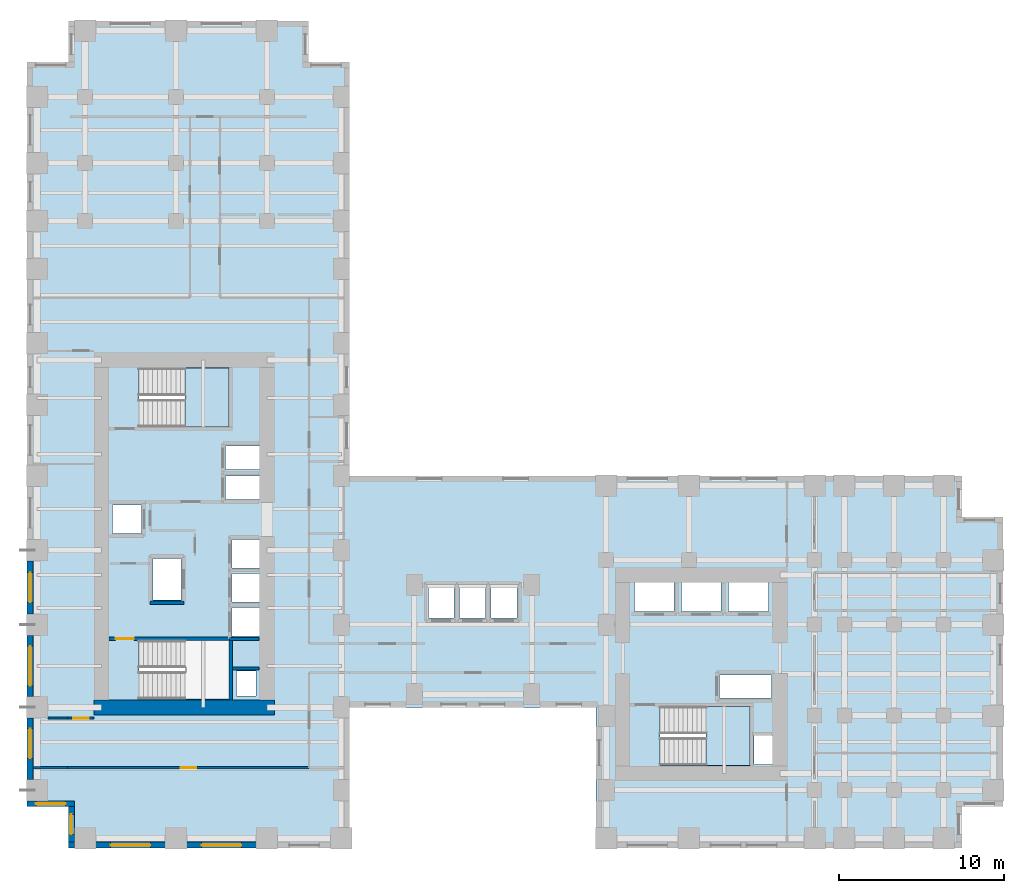
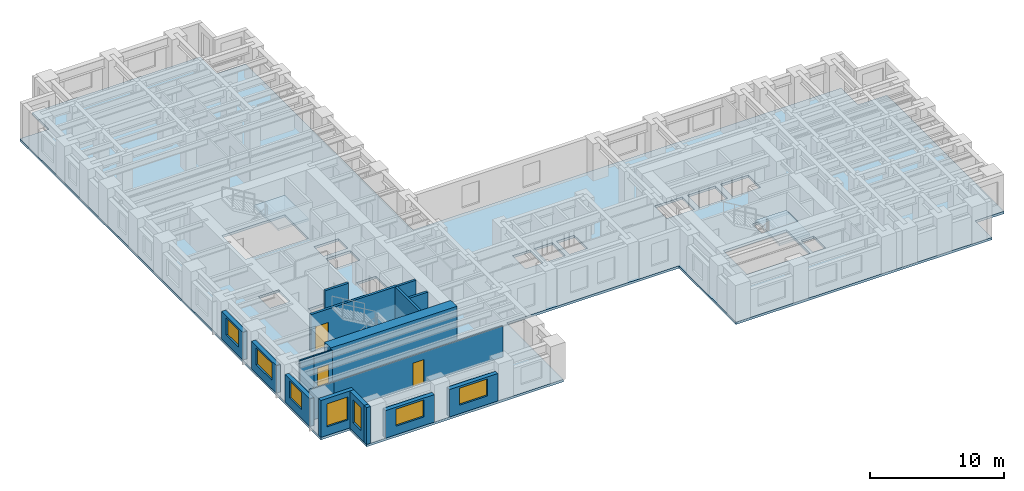
# One storey, part 3 of 11: 18 walls, 7 windows, 3 doors, 3 slabs, 10 openings, 2 elements without a shape of their own.
"""IFC4 building model written with IfcOpenShell, lengths in metres."""

from ifc_helpers import new_model, si_unit, direction, frame, frame_2d, origin, place, context, subcontext, project, spatial, polyline, rectangle, outline, extrude, source, transform, mapped, material, layer, layer_set, type_object, element, fill, aggregate, save


model = new_model("IFC4")

# Units and contexts
model_context = context("Model", 3, precision=1e-05, world=origin(), true_north=direction((0.0, 1.0)))
body_context = subcontext(model_context, "Body", "Model", "MODEL_VIEW")
ifc_project = project(units=[si_unit("LENGTHUNIT", "METRE"), si_unit("AREAUNIT", "SQUARE_METRE"), si_unit("VOLUMEUNIT", "CUBIC_METRE"), si_unit("PLANEANGLEUNIT", "RADIAN"), si_unit("MASSUNIT", "GRAM", prefix="KILO")], contexts=[model_context])

# Site, building, storey
site_placement = place(None, origin())
site = spatial("IfcSite", under=ifc_project, at=site_placement, CompositionType="ELEMENT")
building_placement = place(site_placement, origin())
building = spatial("IfcBuilding", under=site, at=building_placement, Name="Kharzan Plaza Tower", CompositionType="ELEMENT")
storey_placement = place(building_placement, frame((0.0, 0.0, 54.89990234375)))
storey = spatial("IfcBuildingStorey", under=building, at=storey_placement, Name="L14", CompositionType="ELEMENT", Elevation=54.89990234375)

# Slab
ifc_material_1 = material(Name="Concrete C40/50", Category="concrete")
ifc_layer_1 = layer(ifc_material_1, 0.219970703125)
ifc_layer_set_1 = layer_set([ifc_layer_1], Name="Concrete C40/50")
slab_type_1 = type_object("IfcSlabType", Name="SL-FLOOR-220", PredefinedType="FLOOR", material=ifc_layer_set_1)
slab_1_placement = place(storey_placement, frame((0.0, 0.0, -0.219970703125)))
element("IfcSlab", 1, at=slab_1_placement, inside=storey, type_object=slab_type_1, Name="L14 Composite Structural Floor Slab 220 mm", PredefinedType="FLOOR", context=body_context, shape_type="SweptSolid", body=[
    extrude(outline(polyline([(34.39990234375, 22.5), (19.5, 22.5), (19.5, 47.5), (17.0, 47.5), (17.0, 50.0), (2.5, 50.0), (2.5, 47.5), (0.0, 47.5), (0.0, 2.5), (2.5, 2.5), (2.5, 0.0), (19.5, 0.0), (19.5, 8.5), (34.39990234375, 8.5), (34.39990234375, 0.0), (56.5, 0.0), (56.5, 2.5), (59.0, 2.5), (59.0, 20.0), (56.5, 20.0), (56.5, 22.5), (34.39990234375, 22.5)]), holes=[polyline([(13.85009765625, 9.199951171875), (13.85009765625, 10.699951171875), (12.64990234375, 10.699951171875), (12.64990234375, 9.199951171875), (13.85009765625, 9.199951171875)]), polyline([(12.199951171875, 9.0), (12.199951171875, 12.550048828125), (6.75, 12.550048828125), (6.75, 9.0), (12.199951171875, 9.0)]), polyline([(14.10009765625, 12.800048828125), (14.10009765625, 14.530029296875), (12.39990234375, 14.530029296875), (12.39990234375, 12.800048828125), (14.10009765625, 12.800048828125)]), polyline([(14.10009765625, 14.8701171875), (14.10009765625, 16.60009765625), (12.39990234375, 16.60009765625), (12.39990234375, 14.8701171875), (14.10009765625, 14.8701171875)]), polyline([(9.300048828125, 15.0), (9.300048828125, 17.5), (7.60009765625, 17.5), (7.60009765625, 15.0), (9.300048828125, 15.0)]), polyline([(14.10009765625, 16.93994140625), (14.10009765625, 18.64990234375), (12.39990234375, 18.64990234375), (12.39990234375, 16.93994140625), (14.10009765625, 16.93994140625)]), polyline([(6.89990234375, 19.010009765625), (6.89990234375, 20.72998046875), (5.14990234375, 20.72998046875), (5.14990234375, 19.010009765625), (6.89990234375, 19.010009765625)]), polyline([(12.0, 21.070068359375), (14.10009765625, 21.070068359375), (14.10009765625, 22.489990234375), (12.0, 22.489990234375), (12.0, 21.070068359375)]), polyline([(12.0, 22.8701171875), (14.10009765625, 22.8701171875), (14.10009765625, 24.2900390625), (12.0, 24.2900390625), (12.0, 22.8701171875)]), polyline([(12.199951171875, 25.449951171875), (12.199951171875, 29.0), (6.75, 29.0), (6.75, 25.449951171875), (12.199951171875, 25.449951171875)]), polyline([(45.050048828125, 5.050048828125), (45.050048828125, 6.800048828125), (43.949951171875, 6.800048828125), (43.949951171875, 5.050048828125), (45.050048828125, 5.050048828125)]), polyline([(43.699951171875, 5.0), (43.699951171875, 8.550048828125), (38.25, 8.550048828125), (38.25, 5.0), (43.699951171875, 5.0)]), polyline([(41.85009765625, 9.070068359375), (45.0, 9.070068359375), (45.0, 10.469970703125), (41.85009765625, 10.469970703125), (41.85009765625, 9.070068359375)]), polyline([(24.25, 13.89990234375), (25.800048828125, 13.89990234375), (25.800048828125, 15.85009765625), (24.25, 15.85009765625), (24.25, 13.89990234375)]), polyline([(27.699951171875, 13.89990234375), (27.699951171875, 15.85009765625), (26.14990234375, 15.85009765625), (26.14990234375, 13.89990234375), (27.699951171875, 13.89990234375)]), polyline([(29.60009765625, 13.89990234375), (29.60009765625, 15.85009765625), (28.050048828125, 15.85009765625), (28.050048828125, 13.89990234375), (29.60009765625, 13.89990234375)]), polyline([(39.10009765625, 14.300048828125), (39.10009765625, 16.14990234375), (36.699951171875, 16.14990234375), (36.699951171875, 14.300048828125), (39.10009765625, 14.300048828125)]), polyline([(39.550048828125, 14.300048828125), (41.949951171875, 14.300048828125), (41.949951171875, 16.14990234375), (39.550048828125, 16.14990234375), (39.550048828125, 14.300048828125)]), polyline([(42.39990234375, 14.300048828125), (44.800048828125, 14.300048828125), (44.800048828125, 16.14990234375), (42.39990234375, 16.14990234375), (42.39990234375, 14.300048828125)])]), origin(), (0.0, 0.0, 1.0), 0.219970703125),
])

# Stair, slab
stair_type_1 = type_object("IfcStairType", Name="STR-ST-2", PredefinedType="HALF_TURN_STAIR", material=ifc_material_1)
stair_1_placement = place(storey_placement, origin())
stair_1 = element("IfcStair", 2, at=stair_1_placement, inside=storey, type_object=stair_type_1, Name="L14 Protected Exit Stair ST-2", PredefinedType="HALF_TURN_STAIR")
ifc_layer_2 = layer(ifc_material_1, 0.219970703125)
ifc_layer_set_2 = layer_set([ifc_layer_2], Name="Concrete C40/50")
slab_type_2 = type_object("IfcSlabType", Name="SL-LANDING-220", PredefinedType="LANDING", material=ifc_layer_set_2)
slab_2_placement = place(storey_placement, frame((0.0, 0.0, 1.60009765625)))
slab_2 = element("IfcSlab", 3, at=slab_2_placement, type_object=slab_type_2, Name="ST-2 landing 1", PredefinedType="LANDING", context=body_context, shape_type="SweptSolid", body=[
    extrude(outline(polyline([(9.550048828125, 25.449951171875), (12.199951171875, 25.449951171875), (12.199951171875, 29.0), (9.550048828125, 29.0), (9.550048828125, 25.449951171875)])), origin(), (0.0, 0.0, 1.0), 0.199951171875),
])
aggregate(stair_1, [slab_2])

stair_type_2 = type_object("IfcStairType", Name="STR-ST-3", PredefinedType="HALF_TURN_STAIR", material=ifc_material_1)
stair_2_placement = place(storey_placement, origin())
stair_2 = element("IfcStair", 4, at=stair_2_placement, inside=storey, type_object=stair_type_2, Name="L14 Protected Exit Stair ST-3", PredefinedType="HALF_TURN_STAIR")
slab_3_placement = place(storey_placement, frame((0.0, 0.0, 1.60009765625)))
slab_3 = element("IfcSlab", 5, at=slab_3_placement, type_object=slab_type_2, Name="ST-3 landing 1", PredefinedType="LANDING", context=body_context, shape_type="SweptSolid", body=[
    extrude(outline(polyline([(41.050048828125, 5.0), (43.699951171875, 5.0), (43.699951171875, 8.550048828125), (41.050048828125, 8.550048828125), (41.050048828125, 5.0)])), origin(), (0.0, 0.0, 1.0), 0.199951171875),
])
aggregate(stair_2, [slab_3])

# Wall, opening, window
ifc_layer_3 = layer(ifc_material_1, 0.35009765625)
ifc_layer_set_3 = layer_set([ifc_layer_3], Name="Concrete C40/50")
wall_type_1 = type_object("IfcWallType", Name="WL-EXT-MAS-Z1", PredefinedType="SOLIDWALL", material=ifc_layer_set_3)
wall_1_placement = place(storey_placement, frame((0.175048828125, 17.35205078125, 0.0), z_axis=(0.0, 0.0, 1.0), x_axis=(0.0, -1.0, 0.0)))
wall_1 = element("IfcWall", 6, at=wall_1_placement, inside=storey, type_object=wall_type_1, Name="L14 Masonry-Frame Exterior Wall 17", PredefinedType="SOLIDWALL", context=body_context, shape_type="SweptSolid", body=[
    extrude(rectangle(XDim=3.2041015625, YDim=0.35009765625, at=frame_2d((1.60205078125, 0.0))), origin(), (0.0, 0.0, 1.0), 2.510009765625),
])
opening_1_placement = place(wall_1_placement, frame((0.701904296875, 0.0, 0.780029296875)))
opening_1 = element("IfcOpeningElement", 7, at=opening_1_placement, cuts=wall_1, Name="Opening W1", PredefinedType="OPENING", context=body_context, shape_type="SweptSolid", body=[
    extrude(rectangle(XDim=1.800048828125, YDim=1.550048828125, at=frame_2d((0.89990234375, 0.77490234375))), frame((0.0, 0.18505859375, 0.0), z_axis=(0.0, -1.0, 0.0), x_axis=(1.0, 0.0, 0.0)), (0.0, 0.0, 1.0), 0.3701171875),
])
ifc_material_2 = material(Name="Low-E Double Glazing", Category="glass")
window_type_1 = type_object("IfcWindowType", Name="WN-REC-1800x2100", PartitioningType="SINGLE_PANEL", PredefinedType="WINDOW", material=ifc_material_2)
shared_shape_1 = source(origin(), body_context, "Body", "SweptSolid", [
    extrude(rectangle(XDim=1.800048828125, YDim=1.550048828125, at=frame_2d((0.89990234375, 0.77490234375))), frame((0.0, 0.030029296875, 0.0), z_axis=(0.0, -1.0, 0.0), x_axis=(1.0, 0.0, 0.0)), (0.0, 0.0, 1.0), 0.06005859375),
])
window_1_placement = place(opening_1_placement, origin())
window_1 = element("IfcWindow", 8, at=window_1_placement, inside=storey, type_object=window_type_1, Name="L14 Recessed Solar-Control Window 17-1", OverallHeight=1.550048828125, OverallWidth=1.800048828125, PartitioningType="SINGLE_PANEL", PredefinedType="WINDOW", context=body_context, shape_type="MappedRepresentation", body=[
    mapped(shared_shape_1, transform((0.0, 0.0, 0.0), x_axis=(1.0, 0.0, 0.0), y_axis=(0.0, 1.0, 0.0), z_axis=(0.0, 0.0, 1.0))),
])
fill(opening_1, window_1)

wall_2_placement = place(storey_placement, frame((0.175048828125, 12.85205078125, 0.0), z_axis=(0.0, 0.0, 1.0), x_axis=(0.0, -1.0, 0.0)))
wall_2 = element("IfcWall", 9, at=wall_2_placement, inside=storey, type_object=wall_type_1, Name="L14 Masonry-Frame Exterior Wall 18", PredefinedType="SOLIDWALL", context=body_context, shape_type="SweptSolid", body=[
    extrude(rectangle(XDim=3.7041015625, YDim=0.35009765625, at=frame_2d((1.85205078125, 0.0))), origin(), (0.0, 0.0, 1.0), 2.510009765625),
])
opening_2_placement = place(wall_2_placement, frame((0.652099609375, 0.0, 0.780029296875)))
opening_2 = element("IfcOpeningElement", 10, at=opening_2_placement, cuts=wall_2, Name="Opening W2", PredefinedType="OPENING", context=body_context, shape_type="SweptSolid", body=[
    extrude(rectangle(XDim=2.39990234375, YDim=1.550048828125, at=frame_2d((1.199951171875, 0.77490234375))), frame((0.0, 0.18505859375, 0.0), z_axis=(0.0, -1.0, 0.0), x_axis=(1.0, 0.0, 0.0)), (0.0, 0.0, 1.0), 0.3701171875),
])
window_type_2 = type_object("IfcWindowType", Name="WN-REC-2400x2100", PartitioningType="SINGLE_PANEL", PredefinedType="WINDOW", material=ifc_material_2)
shared_shape_2 = source(origin(), body_context, "Body", "SweptSolid", [
    extrude(rectangle(XDim=2.39990234375, YDim=1.550048828125, at=frame_2d((1.199951171875, 0.77490234375))), frame((0.0, 0.030029296875, 0.0), z_axis=(0.0, -1.0, 0.0), x_axis=(1.0, 0.0, 0.0)), (0.0, 0.0, 1.0), 0.06005859375),
])
window_2_placement = place(opening_2_placement, origin())
window_2 = element("IfcWindow", 11, at=window_2_placement, inside=storey, type_object=window_type_2, Name="L14 Wide Recessed Solar-Control Window 18-1", OverallHeight=1.550048828125, OverallWidth=2.39990234375, PartitioningType="SINGLE_PANEL", PredefinedType="WINDOW", context=body_context, shape_type="MappedRepresentation", body=[
    mapped(shared_shape_2, transform((0.0, 0.0, 0.0), x_axis=(1.0, 0.0, 0.0), y_axis=(0.0, 1.0, 0.0), z_axis=(0.0, 0.0, 1.0))),
])
fill(opening_2, window_2)

wall_3_placement = place(storey_placement, frame((0.175048828125, 7.85205078125, 0.0), z_axis=(0.0, 0.0, 1.0), x_axis=(0.0, -1.0, 0.0)))
wall_3 = element("IfcWall", 12, at=wall_3_placement, inside=storey, type_object=wall_type_1, Name="L14 Masonry-Frame Exterior Wall 19", PredefinedType="SOLIDWALL", context=body_context, shape_type="SweptSolid", body=[
    extrude(rectangle(XDim=3.7041015625, YDim=0.35009765625, at=frame_2d((1.85205078125, 0.0))), origin(), (0.0, 0.0, 1.0), 2.510009765625),
])
opening_3_placement = place(wall_3_placement, frame((0.635986328125, 0.0, 0.780029296875)))
opening_3 = element("IfcOpeningElement", 13, at=opening_3_placement, cuts=wall_3, Name="Opening W1", PredefinedType="OPENING", context=body_context, shape_type="SweptSolid", body=[
    extrude(rectangle(XDim=1.800048828125, YDim=1.550048828125, at=frame_2d((0.89990234375, 0.77490234375))), frame((0.0, 0.18505859375, 0.0), z_axis=(0.0, -1.0, 0.0), x_axis=(1.0, 0.0, 0.0)), (0.0, 0.0, 1.0), 0.3701171875),
])
window_3_placement = place(opening_3_placement, origin())
window_3 = element("IfcWindow", 14, at=window_3_placement, inside=storey, type_object=window_type_1, Name="L14 Recessed Solar-Control Window 19-1", OverallHeight=1.550048828125, OverallWidth=1.800048828125, PartitioningType="SINGLE_PANEL", PredefinedType="WINDOW", context=body_context, shape_type="MappedRepresentation", body=[
    mapped(shared_shape_1, transform((0.0, 0.0, 0.0), x_axis=(1.0, 0.0, 0.0), y_axis=(0.0, 1.0, 0.0), z_axis=(0.0, 0.0, 1.0))),
])
fill(opening_3, window_3)

wall_4_placement = place(storey_placement, frame((0.0, 2.675048828125, 0.0), z_axis=(0.0, 0.0, 1.0), x_axis=(1.0, 0.0, 0.0)))
wall_4 = element("IfcWall", 15, at=wall_4_placement, inside=storey, type_object=wall_type_1, Name="L14 Masonry-Frame Exterior Wall 20", PredefinedType="SOLIDWALL", context=body_context, shape_type="SweptSolid", body=[
    extrude(rectangle(XDim=2.85009765625, YDim=0.35009765625, at=frame_2d((1.425048828125, 0.0))), origin(), (0.0, 0.0, 1.0), 3.364990234375),
])
opening_4_placement = place(wall_4_placement, frame((0.52490234375, 0.0, 0.780029296875)))
opening_4 = element("IfcOpeningElement", 16, at=opening_4_placement, cuts=wall_4, Name="Opening W1", PredefinedType="OPENING", context=body_context, shape_type="SweptSolid", body=[
    extrude(rectangle(XDim=1.800048828125, YDim=2.10009765625, at=frame_2d((0.89990234375, 1.050048828125))), frame((0.0, 0.18505859375, 0.0), z_axis=(0.0, -1.0, 0.0), x_axis=(1.0, 0.0, 0.0)), (0.0, 0.0, 1.0), 0.3701171875),
])
shared_shape_3 = source(origin(), body_context, "Body", "SweptSolid", [
    extrude(rectangle(XDim=1.800048828125, YDim=2.10009765625, at=frame_2d((0.89990234375, 1.050048828125))), frame((0.0, 0.030029296875, 0.0), z_axis=(0.0, -1.0, 0.0), x_axis=(1.0, 0.0, 0.0)), (0.0, 0.0, 1.0), 0.06005859375),
])
window_4_placement = place(opening_4_placement, origin())
window_4 = element("IfcWindow", 17, at=window_4_placement, inside=storey, type_object=window_type_1, Name="L14 Recessed Solar-Control Window 20-1", OverallHeight=2.10009765625, OverallWidth=1.800048828125, PartitioningType="SINGLE_PANEL", PredefinedType="WINDOW", context=body_context, shape_type="MappedRepresentation", body=[
    mapped(shared_shape_3, transform((0.0, 0.0, 0.0), x_axis=(1.0, 0.0, 0.0), y_axis=(0.0, 1.0, 0.0), z_axis=(0.0, 0.0, 1.0))),
])
fill(opening_4, window_4)

wall_5_placement = place(storey_placement, frame((2.675048828125, 2.501953125, 0.0), z_axis=(0.0, 0.0, 1.0), x_axis=(0.0, -1.0, 0.0)))
wall_5 = element("IfcWall", 18, at=wall_5_placement, inside=storey, type_object=wall_type_1, Name="L14 Masonry-Frame Exterior Wall 21", PredefinedType="SOLIDWALL", context=body_context, shape_type="SweptSolid", body=[
    extrude(rectangle(XDim=2.154052734375, YDim=0.35009765625, at=frame_2d((1.0771484375, 0.0))), origin(), (0.0, 0.0, 1.0), 3.364990234375),
])
opening_5_placement = place(wall_5_placement, frame((0.47705078125, 0.0, 0.780029296875)))
opening_5 = element("IfcOpeningElement", 19, at=opening_5_placement, cuts=wall_5, Name="Opening W3", PredefinedType="OPENING", context=body_context, shape_type="SweptSolid", body=[
    extrude(rectangle(XDim=1.199951171875, YDim=2.10009765625, at=frame_2d((0.60009765625, 1.050048828125))), frame((0.0, 0.18505859375, 0.0), z_axis=(0.0, -1.0, 0.0), x_axis=(1.0, 0.0, 0.0)), (0.0, 0.0, 1.0), 0.3701171875),
])
window_type_3 = type_object("IfcWindowType", Name="WN-REC-1200x2100", PartitioningType="SINGLE_PANEL", PredefinedType="WINDOW", material=ifc_material_2)
shared_shape_4 = source(origin(), body_context, "Body", "SweptSolid", [
    extrude(rectangle(XDim=1.199951171875, YDim=2.10009765625, at=frame_2d((0.60009765625, 1.050048828125))), frame((0.0, 0.030029296875, 0.0), z_axis=(0.0, -1.0, 0.0), x_axis=(1.0, 0.0, 0.0)), (0.0, 0.0, 1.0), 0.06005859375),
])
window_5_placement = place(opening_5_placement, origin())
window_5 = element("IfcWindow", 20, at=window_5_placement, inside=storey, type_object=window_type_3, Name="L14 Recessed Solar-Control Window 21-1", OverallHeight=2.10009765625, OverallWidth=1.199951171875, PartitioningType="SINGLE_PANEL", PredefinedType="WINDOW", context=body_context, shape_type="MappedRepresentation", body=[
    mapped(shared_shape_4, transform((0.0, 0.0, 0.0), x_axis=(1.0, 0.0, 0.0), y_axis=(0.0, 1.0, 0.0), z_axis=(0.0, 0.0, 1.0))),
])
fill(opening_5, window_5)

wall_6_placement = place(storey_placement, frame((4.14794921875, 0.175048828125, 0.0), z_axis=(0.0, 0.0, 1.0), x_axis=(1.0, 0.0, 0.0)))
wall_6 = element("IfcWall", 21, at=wall_6_placement, inside=storey, type_object=wall_type_1, Name="L14 Masonry-Frame Exterior Wall 23", PredefinedType="SOLIDWALL", context=body_context, shape_type="SweptSolid", body=[
    extrude(rectangle(XDim=4.2041015625, YDim=0.35009765625, at=frame_2d((2.10205078125, 0.0))), origin(), (0.0, 0.0, 1.0), 2.510009765625),
])
opening_6_placement = place(wall_6_placement, frame((0.902099609375, 0.0, 0.780029296875)))
opening_6 = element("IfcOpeningElement", 22, at=opening_6_placement, cuts=wall_6, Name="Opening W2", PredefinedType="OPENING", context=body_context, shape_type="SweptSolid", body=[
    extrude(rectangle(XDim=2.39990234375, YDim=1.550048828125, at=frame_2d((1.199951171875, 0.77490234375))), frame((0.0, 0.18505859375, 0.0), z_axis=(0.0, -1.0, 0.0), x_axis=(1.0, 0.0, 0.0)), (0.0, 0.0, 1.0), 0.3701171875),
])
window_6_placement = place(opening_6_placement, origin())
window_6 = element("IfcWindow", 23, at=window_6_placement, inside=storey, type_object=window_type_2, Name="L14 Wide Recessed Solar-Control Window 23-1", OverallHeight=1.550048828125, OverallWidth=2.39990234375, PartitioningType="SINGLE_PANEL", PredefinedType="WINDOW", context=body_context, shape_type="MappedRepresentation", body=[
    mapped(shared_shape_2, transform((0.0, 0.0, 0.0), x_axis=(1.0, 0.0, 0.0), y_axis=(0.0, 1.0, 0.0), z_axis=(0.0, 0.0, 1.0))),
])
fill(opening_6, window_6)

wall_7_placement = place(storey_placement, frame((9.64794921875, 0.175048828125, 0.0), z_axis=(0.0, 0.0, 1.0), x_axis=(1.0, 0.0, 0.0)))
wall_7 = element("IfcWall", 24, at=wall_7_placement, inside=storey, type_object=wall_type_1, Name="L14 Masonry-Frame Exterior Wall 24", PredefinedType="SOLIDWALL", context=body_context, shape_type="SweptSolid", body=[
    extrude(rectangle(XDim=4.2041015625, YDim=0.35009765625, at=frame_2d((2.10205078125, 0.0))), origin(), (0.0, 0.0, 1.0), 2.510009765625),
])
opening_7_placement = place(wall_7_placement, frame((0.902099609375, 0.0, 0.780029296875)))
opening_7 = element("IfcOpeningElement", 25, at=opening_7_placement, cuts=wall_7, Name="Opening W2", PredefinedType="OPENING", context=body_context, shape_type="SweptSolid", body=[
    extrude(rectangle(XDim=2.39990234375, YDim=1.550048828125, at=frame_2d((1.199951171875, 0.77490234375))), frame((0.0, 0.18505859375, 0.0), z_axis=(0.0, -1.0, 0.0), x_axis=(1.0, 0.0, 0.0)), (0.0, 0.0, 1.0), 0.3701171875),
])
window_7_placement = place(opening_7_placement, origin())
window_7 = element("IfcWindow", 26, at=window_7_placement, inside=storey, type_object=window_type_2, Name="L14 Wide Recessed Solar-Control Window 24-1", OverallHeight=1.550048828125, OverallWidth=2.39990234375, PartitioningType="SINGLE_PANEL", PredefinedType="WINDOW", context=body_context, shape_type="MappedRepresentation", body=[
    mapped(shared_shape_2, transform((0.0, 0.0, 0.0), x_axis=(1.0, 0.0, 0.0), y_axis=(0.0, 1.0, 0.0), z_axis=(0.0, 0.0, 1.0))),
])
fill(opening_7, window_7)

# Wall, opening, door
ifc_material_3 = material(Name="Fire-Rated Gypsum Board Partition", Category="gypsum")
ifc_layer_4 = layer(ifc_material_3, 0.125)
ifc_layer_set_4 = layer_set([ifc_layer_4], Name="Fire-Rated Gypsum Board Partition")
wall_type_2 = type_object("IfcWallType", Name="WL-INT-PART-125", PredefinedType="PARTITIONING", material=ifc_layer_set_4)
wall_8_placement = place(storey_placement, frame((2.449951171875, 7.85009765625, 0.0), z_axis=(0.0, 0.0, 1.0), x_axis=(1.0, 0.0, 0.0)))
wall_8 = element("IfcWall", 27, at=wall_8_placement, inside=storey, type_object=wall_type_2, Name="L14 Interior Partition SH-RWSD", PredefinedType="PARTITIONING", context=body_context, shape_type="SweptSolid", body=[
    extrude(rectangle(XDim=1.60009765625, YDim=0.125, at=frame_2d((0.800048828125, 0.0))), origin(), (0.0, 0.0, 1.0), 3.364990234375),
])
opening_8_placement = place(wall_8_placement, frame((0.324951171875, 0.0, 0.0)))
opening_8 = element("IfcOpeningElement", 28, at=opening_8_placement, cuts=wall_8, Name="Opening OD1", PredefinedType="OPENING", context=body_context, shape_type="SweptSolid", body=[
    extrude(rectangle(XDim=0.949951171875, YDim=2.14990234375, at=frame_2d((0.47509765625, 1.074951171875))), frame((0.0, 0.072509765625, 0.0), z_axis=(0.0, -1.0, 0.0), x_axis=(1.0, 0.0, 0.0)), (0.0, 0.0, 1.0), 0.14501953125),
])
ifc_material_4 = material(Name="Acoustic Solid-Core Stained Oak", Category="timber")
door_type_1 = type_object("IfcDoorType", Name="DR-OFF-SINGLE", OperationType="NOTDEFINED", PredefinedType="DOOR", material=ifc_material_4)
shared_shape_5 = source(origin(), body_context, "Body", "SweptSolid", [
    extrude(rectangle(XDim=0.949951171875, YDim=2.14990234375, at=frame_2d((0.47509765625, 1.074951171875))), frame((0.0, 0.02490234375, 0.0), z_axis=(0.0, -1.0, 0.0), x_axis=(1.0, 0.0, 0.0)), (0.0, 0.0, 1.0), 0.050048828125),
])
door_1_placement = place(opening_8_placement, origin())
door_1 = element("IfcDoor", 29, at=door_1_placement, inside=storey, type_object=door_type_1, Name="L14 West Office 1 Door", OperationType="SINGLE_SWING_RIGHT", OverallHeight=2.14990234375, OverallWidth=0.949951171875, PredefinedType="DOOR", context=body_context, shape_type="MappedRepresentation", body=[
    mapped(shared_shape_5, transform((0.0, 0.0, 0.0), x_axis=(1.0, 0.0, 0.0), y_axis=(0.0, 1.0, 0.0), z_axis=(0.0, 0.0, 1.0))),
])
fill(opening_8, door_1)

wall_9_placement = place(storey_placement, frame((2.449951171875, 4.85009765625, 0.0), z_axis=(0.0, 0.0, 1.0), x_axis=(1.0, 0.0, 0.0)))
wall_9 = element("IfcWall", 30, at=wall_9_placement, inside=storey, type_object=wall_type_2, Name="L14 Interior Partition SH-SS-1", PredefinedType="PARTITIONING", context=body_context, shape_type="SweptSolid", body=[
    extrude(rectangle(XDim=14.60009765625, YDim=0.125, at=frame_2d((7.300048828125, 0.0))), origin(), (0.0, 0.0, 1.0), 2.828125),
])
opening_9_placement = place(wall_9_placement, frame((6.824951171875, 0.0, 0.0)))
opening_9 = element("IfcOpeningElement", 31, at=opening_9_placement, cuts=wall_9, Name="Opening OD1", PredefinedType="OPENING", context=body_context, shape_type="SweptSolid", body=[
    extrude(rectangle(XDim=0.949951171875, YDim=2.14990234375, at=frame_2d((0.47509765625, 1.074951171875))), frame((0.0, 0.072509765625, 0.0), z_axis=(0.0, -1.0, 0.0), x_axis=(1.0, 0.0, 0.0)), (0.0, 0.0, 1.0), 0.14501953125),
])
door_2_placement = place(opening_9_placement, origin())
door_2 = element("IfcDoor", 32, at=door_2_placement, inside=storey, type_object=door_type_1, Name="L14 Operations Control Office Door", OperationType="SINGLE_SWING_RIGHT", OverallHeight=2.14990234375, OverallWidth=0.949951171875, PredefinedType="DOOR", context=body_context, shape_type="MappedRepresentation", body=[
    mapped(shared_shape_5, transform((0.0, 0.0, 0.0), x_axis=(1.0, 0.0, 0.0), y_axis=(0.0, 1.0, 0.0), z_axis=(0.0, 0.0, 1.0))),
])
fill(opening_9, door_2)

ifc_material_5 = material(Name="Concrete C50/60", Category="concrete")
ifc_layer_5 = layer(ifc_material_5, 0.199951171875)
ifc_layer_set_5 = layer_set([ifc_layer_5], Name="Concrete C50/60")
wall_type_3 = type_object("IfcWallType", Name="WL-SHAFT-RC200", PredefinedType="SHEAR", material=ifc_layer_set_5)
wall_10_placement = place(storey_placement, frame((4.951904296875, 12.655029296875, 0.0), z_axis=(0.0, 0.0, 1.0), x_axis=(1.0, 0.0, 0.0)))
wall_10 = element("IfcWall", 33, at=wall_10_placement, inside=storey, type_object=wall_type_3, Name="L14 Stair ST-1 North RC Shaft Wall", PredefinedType="SHEAR", context=body_context, shape_type="SweptSolid", body=[
    extrude(rectangle(XDim=7.453125, YDim=0.199951171875, at=frame_2d((3.7265625, 0.0))), origin(), (0.0, 0.0, 1.0), 3.380126953125),
])
opening_10_placement = place(wall_10_placement, frame((0.39990234375, 0.0, 0.0)))
opening_10 = element("IfcOpeningElement", 34, at=opening_10_placement, cuts=wall_10, Name="Opening SD1", PredefinedType="OPENING", context=body_context, shape_type="SweptSolid", body=[
    extrude(rectangle(XDim=1.10009765625, YDim=2.14990234375, at=frame_2d((0.550048828125, 1.074951171875))), frame((0.0, 0.10986328125, 0.0), z_axis=(0.0, -1.0, 0.0), x_axis=(1.0, 0.0, 0.0)), (0.0, 0.0, 1.0), 0.219970703125),
])
ifc_material_6 = material(Name="Fire-Rated Hollow Galvanized Steel", Category="steel")
door_type_2 = type_object("IfcDoorType", Name="DR-STAIR-FD120", OperationType="NOTDEFINED", PredefinedType="DOOR", material=ifc_material_6)
shared_shape_6 = source(origin(), body_context, "Body", "SweptSolid", [
    extrude(rectangle(XDim=1.10009765625, YDim=2.14990234375, at=frame_2d((0.550048828125, 1.074951171875))), frame((0.0, 0.02490234375, 0.0), z_axis=(0.0, -1.0, 0.0), x_axis=(1.0, 0.0, 0.0)), (0.0, 0.0, 1.0), 0.050048828125),
])
door_3_placement = place(opening_10_placement, origin())
door_3 = element("IfcDoor", 35, at=door_3_placement, inside=storey, type_object=door_type_2, Name="L14 Stair ST-1 Fire Exit Door", OperationType="SINGLE_SWING_LEFT", OverallHeight=2.14990234375, OverallWidth=1.10009765625, PredefinedType="DOOR", context=body_context, shape_type="MappedRepresentation", body=[
    mapped(shared_shape_6, transform((0.0, 0.0, 0.0), x_axis=(1.0, 0.0, 0.0), y_axis=(0.0, 1.0, 0.0), z_axis=(0.0, 0.0, 1.0))),
])
fill(opening_10, door_3)

# Walls
shared_shape_7 = source(origin(), body_context, "Body", "SweptSolid", [
    extrude(rectangle(XDim=0.35205078125, YDim=0.35009765625, at=frame_2d((0.176025390625, 0.0))), origin(), (0.0, 0.0, 1.0), 3.364990234375),
])
wall_11_placement = place(storey_placement, frame((2.5, 0.175048828125, 0.0), z_axis=(0.0, 0.0, 1.0), x_axis=(1.0, 0.0, 0.0)))
element("IfcWall", 36, at=wall_11_placement, inside=storey, type_object=wall_type_1, Name="L14 Masonry-Frame Exterior Wall 22", PredefinedType="SOLIDWALL", context=body_context, shape_type="MappedRepresentation", body=[
    mapped(shared_shape_7, transform((0.0, 0.0, 0.0), x_axis=(1.0, 0.0, 0.0), y_axis=(0.0, 1.0, 0.0), z_axis=(0.0, 0.0, 1.0))),
])
shared_shape_8 = source(origin(), body_context, "Body", "SweptSolid", [
    extrude(rectangle(XDim=1.18994140625, YDim=0.125, at=frame_2d((0.594970703125, 0.0))), origin(), (0.0, 0.0, 1.0), 3.364990234375),
])
wall_12_placement = place(storey_placement, frame((1.260009765625, 7.85009765625, 0.0), z_axis=(0.0, 0.0, 1.0), x_axis=(1.0, 0.0, 0.0)))
element("IfcWall", 37, at=wall_12_placement, inside=storey, type_object=wall_type_2, Name="L14 Interior Partition SH-RWS0", PredefinedType="PARTITIONING", context=body_context, shape_type="MappedRepresentation", body=[
    mapped(shared_shape_8, transform((0.0, 0.0, 0.0), x_axis=(1.0, 0.0, 0.0), y_axis=(0.0, 1.0, 0.0), z_axis=(0.0, 0.0, 1.0))),
])
ifc_layer_6 = layer(ifc_material_1, 0.199951171875)
ifc_layer_set_6 = layer_set([ifc_layer_6], Name="Concrete C40/50")
wall_type_4 = type_object("IfcWallType", Name="WL-INT-SHAFT-200", PredefinedType="PARTITIONING", material=ifc_layer_set_6)
shared_shape_9 = source(origin(), body_context, "Body", "SweptSolid", [
    extrude(rectangle(XDim=1.60009765625, YDim=0.199951171875, at=frame_2d((0.800048828125, 0.0))), origin(), (0.0, 0.0, 1.0), 3.364990234375),
])
wall_13_placement = place(storey_placement, frame((12.419921875, 10.85009765625, 0.0), z_axis=(0.0, 0.0, 1.0), x_axis=(1.0, 0.0, 0.0)))
element("IfcWall", 38, at=wall_13_placement, inside=storey, type_object=wall_type_4, Name="L14 Interior Partition CA-RSRA-N", PredefinedType="PARTITIONING", context=body_context, shape_type="MappedRepresentation", body=[
    mapped(shared_shape_9, transform((0.0, 0.0, 0.0), x_axis=(1.0, 0.0, 0.0), y_axis=(0.0, 1.0, 0.0), z_axis=(0.0, 0.0, 1.0))),
])
shared_shape_10 = source(origin(), body_context, "Body", "SweptSolid", [
    extrude(rectangle(XDim=1.7900390625, YDim=0.199951171875, at=frame_2d((0.89501953125, 0.0))), origin(), (0.0, 0.0, 1.0), 3.364990234375),
])
wall_14_placement = place(storey_placement, frame((12.22998046875, 12.6298828125, 0.0), z_axis=(0.0, 0.0, 1.0), x_axis=(1.0, 0.0, 0.0)))
element("IfcWall", 39, at=wall_14_placement, inside=storey, type_object=wall_type_4, Name="L14 Interior Partition SHF-PL-H1-S", PredefinedType="PARTITIONING", context=body_context, shape_type="MappedRepresentation", body=[
    mapped(shared_shape_10, transform((0.0, 0.0, 0.0), x_axis=(1.0, 0.0, 0.0), y_axis=(0.0, 1.0, 0.0), z_axis=(0.0, 0.0, 1.0))),
])
shared_shape_11 = source(origin(), body_context, "Body", "SweptSolid", [
    extrude(rectangle(XDim=2.0400390625, YDim=0.199951171875, at=frame_2d((1.02001953125, 0.0))), origin(), (0.0, 0.0, 1.0), 3.364990234375),
])
wall_15_placement = place(storey_placement, frame((7.429931640625, 14.830078125, 0.0), z_axis=(0.0, 0.0, 1.0), x_axis=(1.0, 0.0, 0.0)))
element("IfcWall", 40, at=wall_15_placement, inside=storey, type_object=wall_type_4, Name="L14 Interior Partition SHF-SVL-1-S", PredefinedType="PARTITIONING", context=body_context, shape_type="MappedRepresentation", body=[
    mapped(shared_shape_11, transform((0.0, 0.0, 0.0), x_axis=(1.0, 0.0, 0.0), y_axis=(0.0, 1.0, 0.0), z_axis=(0.0, 0.0, 1.0))),
])
ifc_material_7 = material(Name="Concrete C60/75", Category="concrete")
ifc_layer_7 = layer(ifc_material_7, 0.89990234375)
ifc_layer_set_7 = layer_set([ifc_layer_7], Name="Concrete C60/75")
wall_type_5 = type_object("IfcWallType", Name="WL-CORE-900", PredefinedType="SHEAR", material=ifc_layer_set_7)
shared_shape_12 = source(origin(), body_context, "Body", "SweptSolid", [
    extrude(rectangle(XDim=10.89990234375, YDim=0.89990234375, at=frame_2d((5.449951171875, 0.0))), origin(), (0.0, 0.0, 1.0), 3.380126953125),
])
wall_16_placement = place(storey_placement, frame((4.050048828125, 8.5, 0.0), z_axis=(0.0, 0.0, 1.0), x_axis=(1.0, 0.0, 0.0)))
element("IfcWall", 41, at=wall_16_placement, inside=storey, type_object=wall_type_5, Name="L14 CORE-A south RC shear wall", PredefinedType="SHEAR", context=body_context, shape_type="MappedRepresentation", body=[
    mapped(shared_shape_12, transform((0.0, 0.0, 0.0), x_axis=(1.0, 0.0, 0.0), y_axis=(0.0, 1.0, 0.0), z_axis=(0.0, 0.0, 1.0))),
])
shared_shape_13 = source(origin(), body_context, "Body", "SweptSolid", [
    extrude(rectangle(XDim=2.097900390625, YDim=0.125, at=frame_2d((1.048828125, 0.0))), origin(), (0.0, 0.0, 1.0), 2.828125),
])
wall_17_placement = place(storey_placement, frame((0.35205078125, 4.85009765625, 0.0), z_axis=(0.0, 0.0, 1.0), x_axis=(1.0, 0.0, 0.0)))
element("IfcWall", 42, at=wall_17_placement, inside=storey, type_object=wall_type_2, Name="L14 Interior Partition SH-SS-EXT", PredefinedType="PARTITIONING", context=body_context, shape_type="MappedRepresentation", body=[
    mapped(shared_shape_13, transform((0.0, 0.0, 0.0), x_axis=(1.0, 0.0, 0.0), y_axis=(0.0, 1.0, 0.0), z_axis=(0.0, 0.0, 1.0))),
])
shared_shape_14 = source(origin(), body_context, "Body", "SweptSolid", [
    extrude(rectangle(XDim=3.60302734375, YDim=0.199951171875, at=frame_2d((1.801513671875, 0.0))), origin(), (0.0, 0.0, 1.0), 3.380126953125),
])
wall_18_placement = place(storey_placement, frame((12.304931640625, 8.951904296875, 0.0), z_axis=(0.0, 0.0, 1.0), x_axis=(0.0, 1.0, 0.0)))
element("IfcWall", 43, at=wall_18_placement, inside=storey, type_object=wall_type_3, Name="L14 Stair ST-1 East RC Shaft Wall", PredefinedType="SHEAR", context=body_context, shape_type="MappedRepresentation", body=[
    mapped(shared_shape_14, transform((0.0, 0.0, 0.0), x_axis=(1.0, 0.0, 0.0), y_axis=(0.0, 1.0, 0.0), z_axis=(0.0, 0.0, 1.0))),
])

save(model, "model.ifc")
